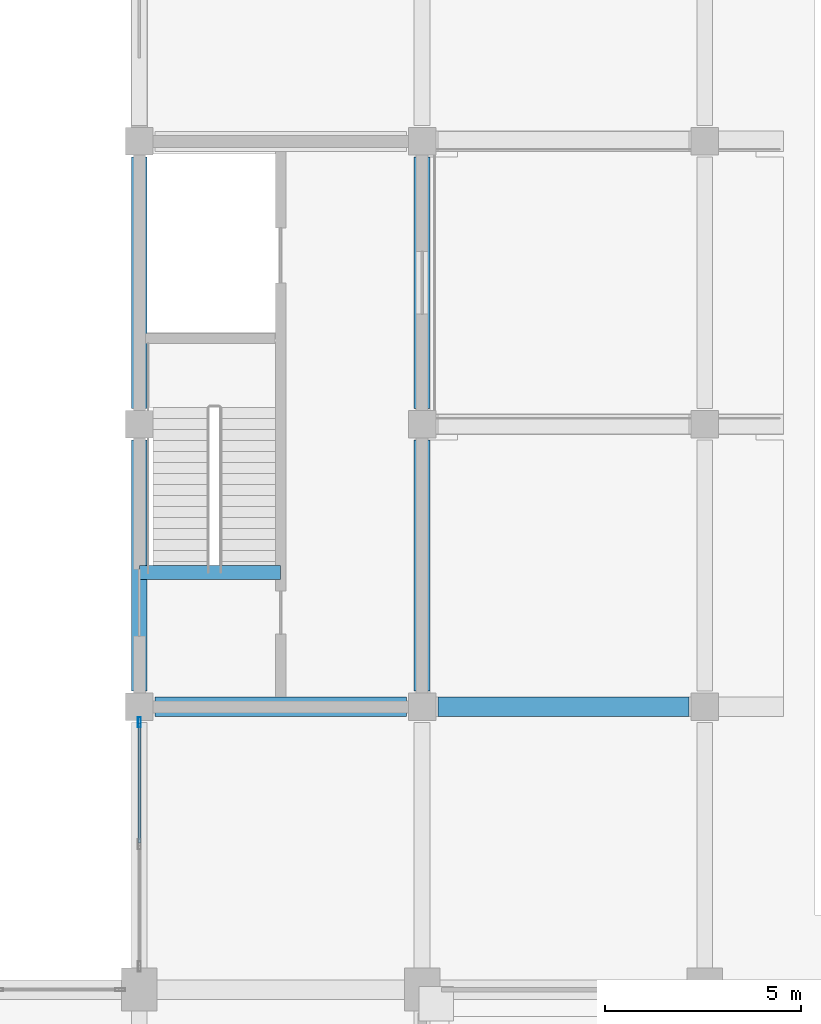
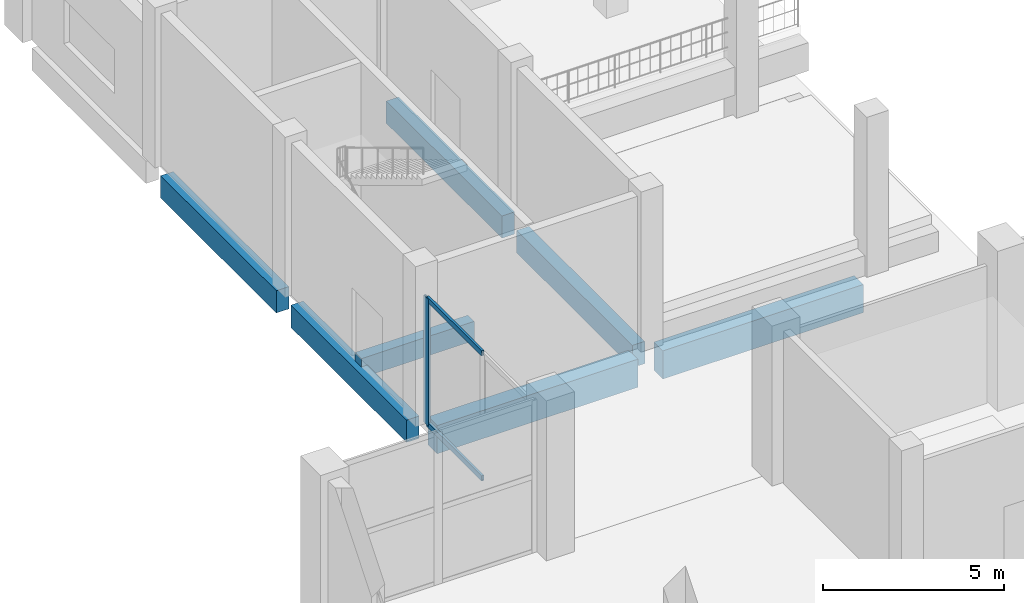
# One storey, part 21 of 70: 7 beams, 3 members, 1 element without a shape of its own.
"""IFC4 building model written with IfcOpenShell, lengths in metres."""

from ifc_helpers import new_model, si_unit, direction, frame, origin, origin_2d, place, context, subcontext, project, spatial, rectangle, hollow_rectangle, extrude, material, material_profile, profile_set, type_object, element, aggregate, save


model = new_model("IFC4")

# Units and contexts
model_context = context("Model", 3, precision=1e-05, world=origin(), true_north=direction((0.0, 1.0)))
body_context = subcontext(model_context, "Body", "Model", "MODEL_VIEW")
ifc_project = project(units=[si_unit("LENGTHUNIT", "METRE"), si_unit("AREAUNIT", "SQUARE_METRE"), si_unit("VOLUMEUNIT", "CUBIC_METRE"), si_unit("PLANEANGLEUNIT", "RADIAN"), si_unit("MASSUNIT", "GRAM", prefix="KILO")], contexts=[model_context])

# Site, building, storey
site_placement = place(None, origin())
site = spatial("IfcSite", under=ifc_project, at=site_placement, CompositionType="ELEMENT")
building_placement = place(site_placement, origin())
building = spatial("IfcBuilding", under=site, at=building_placement, Name="Vesperath Aquatics Centre", CompositionType="ELEMENT")
storey_placement = place(building_placement, origin())
storey = spatial("IfcBuildingStorey", under=building, at=storey_placement, Name="L00", CompositionType="ELEMENT", Elevation=0.0)

# Beams
ifc_material_1 = material(Name="Concrete C40", Category="concrete")
ifc_material_profile_1 = material_profile(ifc_material_1, rectangle(XDim=0.5, YDim=0.949951171875, at=origin_2d()), Name="RC 500x950")
ifc_profile_set_1 = profile_set([ifc_material_profile_1], Name="Concrete C40")
beam_type_1 = type_object("IfcBeamType", Name="BM-G02", PredefinedType="BEAM", material=ifc_profile_set_1)
for number, where, z_axis, x_axis, name in (
    (1, (7.60009765625, 93.60009765625, -0.7548828125), (1.0, 0.0, 0.0), (0.0, 1.0, 0.0), "Floor Girder B02 L00 P 2-3"),
    (2, (14.800048828125, 93.60009765625, -0.7548828125), (1.0, 0.0, 0.0), (0.0, 1.0, 0.0), "Floor Girder B02 L00 P 3-4"),
):
    element("IfcBeam", number, at=place(storey_placement, frame(where, z_axis=z_axis, x_axis=x_axis)), inside=storey, type_object=beam_type_1, Name=name, PredefinedType="BEAM", context=body_context, shape_type="SweptSolid", body=[
        extrude(rectangle(XDim=0.5, YDim=0.949951171875, at=origin_2d()), origin(), (0.0, 0.0, 1.0), 6.39990234375),
    ])
ifc_material_2 = material(Name="Concrete C35", Category="concrete")
ifc_material_profile_2 = material_profile(ifc_material_2, rectangle(XDim=0.39990234375, YDim=0.75, at=origin_2d()), Name="RC 400x750")
ifc_profile_set_2 = profile_set([ifc_material_profile_2], Name="Concrete C35")
beam_type_2 = type_object("IfcBeamType", Name="BM-G04", PredefinedType="BEAM", material=ifc_profile_set_2)
beam_1_placement = place(storey_placement, frame((7.199951171875, 94.0, -0.655029296875), z_axis=(0.0, 1.0, 0.0), x_axis=(-1.0, 0.0, 0.0)))
element("IfcBeam", 3, at=beam_1_placement, inside=storey, type_object=beam_type_2, Name="Floor Girder B04 L00 2 P-Q", PredefinedType="BEAM", context=body_context, shape_type="SweptSolid", body=[
    extrude(rectangle(XDim=0.39990234375, YDim=0.75, at=origin_2d()), origin(), (0.0, 0.0, 1.0), 6.39990234375),
])
beam_2_placement = place(storey_placement, frame((7.199951171875, 101.199951171875, -0.655029296875), z_axis=(0.0, 1.0, 0.0), x_axis=(-1.0, 0.0, 0.0)))
element("IfcBeam", 4, at=beam_2_placement, inside=storey, type_object=beam_type_2, Name="Floor Girder B04 L00 2 Q-R", PredefinedType="BEAM", context=body_context, shape_type="SweptSolid", body=[
    extrude(rectangle(XDim=0.39990234375, YDim=0.75, at=origin_2d()), origin(), (0.0, 0.0, 1.0), 6.400146484375),
])
beam_3_placement = place(storey_placement, frame((14.39990234375, 94.0, -0.655029296875), z_axis=(0.0, 1.0, 0.0), x_axis=(-1.0, 0.0, 0.0)))
element("IfcBeam", 5, at=beam_3_placement, inside=storey, type_object=beam_type_2, Name="Floor Girder B04 L00 3 P-Q", PredefinedType="BEAM", context=body_context, shape_type="SweptSolid", body=[
    extrude(rectangle(XDim=0.39990234375, YDim=0.75, at=origin_2d()), origin(), (0.0, 0.0, 1.0), 6.39990234375),
])
beam_4_placement = place(storey_placement, frame((14.39990234375, 101.199951171875, -0.655029296875), z_axis=(0.0, 1.0, 0.0), x_axis=(-1.0, 0.0, 0.0)))
element("IfcBeam", 6, at=beam_4_placement, inside=storey, type_object=beam_type_2, Name="Floor Girder B04 L00 3 Q-R", PredefinedType="BEAM", context=body_context, shape_type="SweptSolid", body=[
    extrude(rectangle(XDim=0.39990234375, YDim=0.75, at=origin_2d()), origin(), (0.0, 0.0, 1.0), 6.400146484375),
])
ifc_material_profile_3 = material_profile(ifc_material_2, rectangle(XDim=0.35009765625, YDim=0.64990234375, at=origin_2d()), Name="RC 350x650")
ifc_profile_set_3 = profile_set([ifc_material_profile_3], Name="Concrete C35")
beam_type_3 = type_object("IfcBeamType", Name="BM-G05", PredefinedType="BEAM", material=ifc_profile_set_3)
beam_5_placement = place(storey_placement, frame((7.199951171875, 97.02001953125, -0.324951171875), z_axis=(1.0, 0.0, 0.0), x_axis=(0.0, 1.0, 0.0)))
element("IfcBeam", 7, at=beam_5_placement, inside=storey, type_object=beam_type_3, Name="Stair ST3 Landing Trimmer Beam B05 L00", PredefinedType="BEAM", context=body_context, shape_type="SweptSolid", body=[
    extrude(rectangle(XDim=0.35009765625, YDim=0.64990234375, at=origin_2d()), origin(), (0.0, 0.0, 1.0), 3.60009765625),
])

# Curtain wall, members
ifc_material_3 = material(Name="Thermally broken anodised bronze aluminium curtain wall", Category="aluminium")
curtain_wall_type = type_object("IfcCurtainWallType", Name="CW-01", PredefinedType="NOTDEFINED", material=ifc_material_3)
curtain_wall_placement = place(storey_placement, origin())
curtain_wall = element("IfcCurtainWall", 8, at=curtain_wall_placement, inside=storey, type_object=curtain_wall_type, Name="Facade Curtain Wall CW01 L00_W_01_12", PredefinedType="NOTDEFINED")
ifc_material_4 = material(Name="Thermally broken anodised aluminium", Category="aluminium")
ifc_material_profile_4 = material_profile(ifc_material_4, hollow_rectangle(XDim=0.074951171875, YDim=0.260009765625, WallThickness=0.006103515625, at=origin_2d()), Name="CWM 75x260x6")
ifc_profile_set_4 = profile_set([ifc_material_profile_4], Name="Thermally broken anodised aluminium")
member_type_1 = type_object("IfcMemberType", Name="MB-CWM1", PredefinedType="MULLION", material=ifc_profile_set_4)
member_1_placement = place(storey_placement, frame((7.199951171875, 93.21240234375, 0.0), z_axis=(0.0, 0.0, 1.0), x_axis=(-1.0, 0.0, 0.0)))
member_1 = element("IfcMember", 9, at=member_1_placement, type_object=member_type_1, Name="CW01 mullion 3", PredefinedType="MULLION", context=body_context, shape_type="SweptSolid", body=[
    extrude(hollow_rectangle(XDim=0.074951171875, YDim=0.260009765625, WallThickness=0.006103515625, at=origin_2d()), origin(), (0.0, 0.0, 1.0), 4.2900390625),
])
ifc_material_profile_5 = material_profile(ifc_material_4, hollow_rectangle(XDim=0.074951171875, YDim=0.179931640625, WallThickness=0.0048828125, at=origin_2d()), Name="CWT 75x180x5")
ifc_profile_set_5 = profile_set([ifc_material_profile_5], Name="Thermally broken anodised aluminium")
member_type_2 = type_object("IfcMemberType", Name="MB-CWT1", PredefinedType="USERDEFINED", material=ifc_profile_set_5)
member_2_placement = place(storey_placement, frame((7.199951171875, 90.137451171875, 0.03759765625), z_axis=(0.0, 1.0, 0.0), x_axis=(-1.0, 0.0, 0.0)))
member_2 = element("IfcMember", 10, at=member_2_placement, type_object=member_type_2, Name="CW01 transom 2.1", ObjectType="TRANSOM", PredefinedType="USERDEFINED", context=body_context, shape_type="SweptSolid", body=[
    extrude(hollow_rectangle(XDim=0.074951171875, YDim=0.179931640625, WallThickness=0.0048828125, at=origin_2d()), origin(), (0.0, 0.0, 1.0), 3.03759765625),
])
member_3_placement = place(storey_placement, frame((7.199951171875, 90.137451171875, 4.25244140625), z_axis=(0.0, 1.0, 0.0), x_axis=(-1.0, 0.0, 0.0)))
member_3 = element("IfcMember", 11, at=member_3_placement, type_object=member_type_2, Name="CW01 transom 2.2", ObjectType="TRANSOM", PredefinedType="USERDEFINED", context=body_context, shape_type="SweptSolid", body=[
    extrude(hollow_rectangle(XDim=0.074951171875, YDim=0.179931640625, WallThickness=0.0048828125, at=origin_2d()), origin(), (0.0, 0.0, 1.0), 3.03759765625),
])
aggregate(curtain_wall, [member_1, member_2, member_3])

save(model, "model.ifc")
